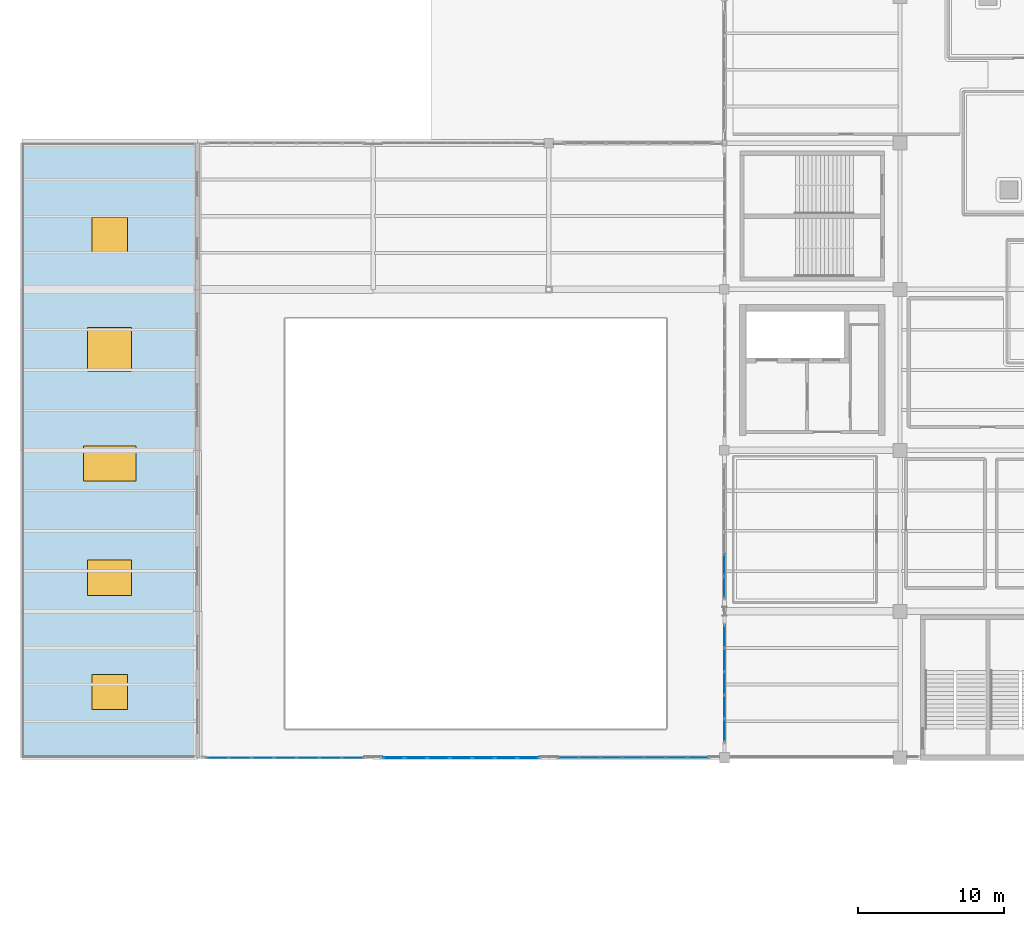
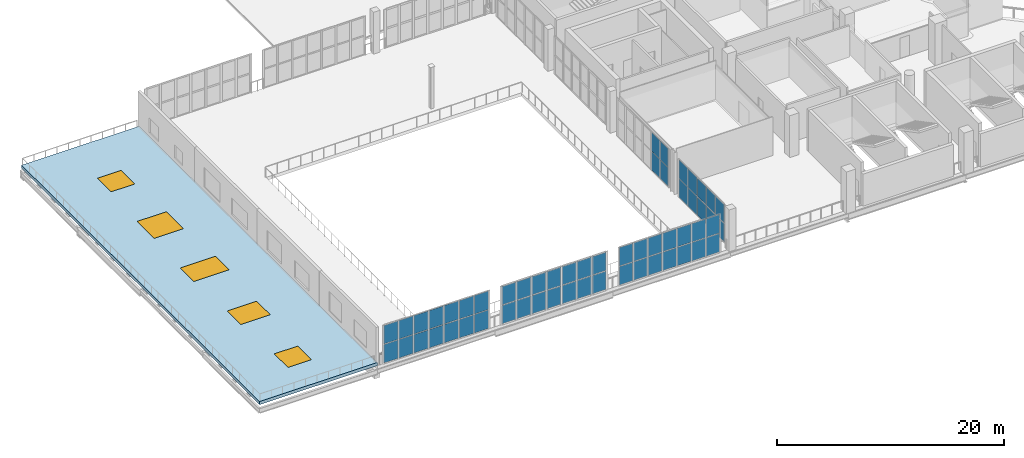
# One storey, part 50 of 90: 56 plates, 5 windows, 1 slab, 5 openings, 5 elements without a shape of their own.
"""IFC4 building model written with IfcOpenShell, lengths in metres."""

from ifc_helpers import new_model, si_unit, direction, frame, origin, origin_2d, place, context, subcontext, project, spatial, polyline, rectangle, outline, extrude, material, layer, layer_set, type_object, element, fill, aggregate, save


model = new_model("IFC4")

# Units and contexts
model_context = context("Model", 3, precision=1e-05, world=origin(), true_north=direction((0.0, 1.0)))
body_context = subcontext(model_context, "Body", "Model", "MODEL_VIEW")
ifc_project = project(units=[si_unit("LENGTHUNIT", "METRE"), si_unit("AREAUNIT", "SQUARE_METRE"), si_unit("VOLUMEUNIT", "CUBIC_METRE"), si_unit("PLANEANGLEUNIT", "RADIAN"), si_unit("MASSUNIT", "GRAM", prefix="KILO")], contexts=[model_context])

# Site, building, storey
site_placement = place(None, origin())
site = spatial("IfcSite", under=ifc_project, at=site_placement, CompositionType="ELEMENT")
building_placement = place(site_placement, origin())
building = spatial("IfcBuilding", under=site, at=building_placement, Name="Brinegate Civic Arena", CompositionType="ELEMENT")
storey_placement = place(building_placement, frame((0.0, 0.0, 14.699951171875)))
storey = spatial("IfcBuildingStorey", under=building, at=storey_placement, Name="L03", CompositionType="ELEMENT", Elevation=14.699951171875)

# Curtain wall, plates
ifc_material_1 = material(Name="Marine grade aluminium", Category="aluminium")
ifc_layer_1 = layer(ifc_material_1, 0.18505859375, Name="Marine grade aluminium")
ifc_layer_set_1 = layer_set([ifc_layer_1], Name="Marine grade aluminium")
curtain_wall_type_1 = type_object("IfcCurtainWallType", Name="CW-WING-GLAZED-03", PredefinedType="USERDEFINED", material=ifc_layer_set_1)
curtain_wall_1_placement = place(storey_placement, origin())
curtain_wall_1 = element("IfcCurtainWall", 1, at=curtain_wall_1_placement, inside=storey, type_object=curtain_wall_type_1, Name="Curtain Wall CWA-027", ObjectType="GLAZED CURTAIN WALL", PredefinedType="USERDEFINED")
ifc_material_2 = material(Name="Hurricane laminated low-E glass", Category="glass")
ifc_layer_2 = layer(ifc_material_2, 0.031982421875, Name="Hurricane laminated low-E glass")
ifc_layer_set_2 = layer_set([ifc_layer_2], Name="Hurricane laminated low-E glass")
plate_type_1 = type_object("IfcPlateType", Name="CW-PANEL-GLAZED-32", PredefinedType="CURTAIN_PANEL", material=ifc_layer_set_2)
plate_1_placement = place(storey_placement, frame((13.3876953125, 10.0, 0.065185546875), z_axis=(0.0, 0.0, 1.0), x_axis=(1.0, 0.0, 0.0)))
plate_1 = element("IfcPlate", 2, at=plate_1_placement, type_object=plate_type_1, Name="CWA-027 panel 1.1", PredefinedType="CURTAIN_PANEL", context=body_context, shape_type="SweptSolid", body=[
    extrude(rectangle(XDim=1.4453125, YDim=0.031982421875, at=origin_2d()), origin(), (0.0, 0.0, 1.0), 1.982421875),
])
plate_2_placement = place(storey_placement, frame((13.3876953125, 10.0, 2.112548828125), z_axis=(0.0, 0.0, 1.0), x_axis=(1.0, 0.0, 0.0)))
plate_2 = element("IfcPlate", 3, at=plate_2_placement, type_object=plate_type_1, Name="CWA-027 panel 1.2", PredefinedType="CURTAIN_PANEL", context=body_context, shape_type="SweptSolid", body=[
    extrude(rectangle(XDim=1.4453125, YDim=0.031982421875, at=origin_2d()), origin(), (0.0, 0.0, 1.0), 1.982421875),
])
plate_3_placement = place(storey_placement, frame((14.914306640625, 10.0, 0.065185546875), z_axis=(0.0, 0.0, 1.0), x_axis=(1.0, 0.0, 0.0)))
plate_3 = element("IfcPlate", 4, at=plate_3_placement, type_object=plate_type_1, Name="CWA-027 panel 2.1", PredefinedType="CURTAIN_PANEL", context=body_context, shape_type="SweptSolid", body=[
    extrude(rectangle(XDim=1.477783203125, YDim=0.031982421875, at=origin_2d()), origin(), (0.0, 0.0, 1.0), 1.982421875),
])
plate_4_placement = place(storey_placement, frame((14.914306640625, 10.0, 2.112548828125), z_axis=(0.0, 0.0, 1.0), x_axis=(1.0, 0.0, 0.0)))
plate_4 = element("IfcPlate", 5, at=plate_4_placement, type_object=plate_type_1, Name="CWA-027 panel 2.2", PredefinedType="CURTAIN_PANEL", context=body_context, shape_type="SweptSolid", body=[
    extrude(rectangle(XDim=1.477783203125, YDim=0.031982421875, at=origin_2d()), origin(), (0.0, 0.0, 1.0), 1.982421875),
])
plate_5_placement = place(storey_placement, frame((16.45703125, 10.0, 0.065185546875), z_axis=(0.0, 0.0, 1.0), x_axis=(1.0, 0.0, 0.0)))
plate_5 = element("IfcPlate", 6, at=plate_5_placement, type_object=plate_type_1, Name="CWA-027 panel 3.1", PredefinedType="CURTAIN_PANEL", context=body_context, shape_type="SweptSolid", body=[
    extrude(rectangle(XDim=1.477783203125, YDim=0.031982421875, at=origin_2d()), origin(), (0.0, 0.0, 1.0), 1.982421875),
])
plate_6_placement = place(storey_placement, frame((16.45703125, 10.0, 2.112548828125), z_axis=(0.0, 0.0, 1.0), x_axis=(1.0, 0.0, 0.0)))
plate_6 = element("IfcPlate", 7, at=plate_6_placement, type_object=plate_type_1, Name="CWA-027 panel 3.2", PredefinedType="CURTAIN_PANEL", context=body_context, shape_type="SweptSolid", body=[
    extrude(rectangle(XDim=1.477783203125, YDim=0.031982421875, at=origin_2d()), origin(), (0.0, 0.0, 1.0), 1.982421875),
])
plate_7_placement = place(storey_placement, frame((18.0, 10.0, 0.065185546875), z_axis=(0.0, 0.0, 1.0), x_axis=(1.0, 0.0, 0.0)))
plate_7 = element("IfcPlate", 8, at=plate_7_placement, type_object=plate_type_1, Name="CWA-027 panel 4.1", PredefinedType="CURTAIN_PANEL", context=body_context, shape_type="SweptSolid", body=[
    extrude(rectangle(XDim=1.477783203125, YDim=0.031982421875, at=origin_2d()), origin(), (0.0, 0.0, 1.0), 1.982421875),
])
plate_8_placement = place(storey_placement, frame((18.0, 10.0, 2.112548828125), z_axis=(0.0, 0.0, 1.0), x_axis=(1.0, 0.0, 0.0)))
plate_8 = element("IfcPlate", 9, at=plate_8_placement, type_object=plate_type_1, Name="CWA-027 panel 4.2", PredefinedType="CURTAIN_PANEL", context=body_context, shape_type="SweptSolid", body=[
    extrude(rectangle(XDim=1.477783203125, YDim=0.031982421875, at=origin_2d()), origin(), (0.0, 0.0, 1.0), 1.982421875),
])
plate_9_placement = place(storey_placement, frame((19.54296875, 10.0, 0.065185546875), z_axis=(0.0, 0.0, 1.0), x_axis=(1.0, 0.0, 0.0)))
plate_9 = element("IfcPlate", 10, at=plate_9_placement, type_object=plate_type_1, Name="CWA-027 panel 5.1", PredefinedType="CURTAIN_PANEL", context=body_context, shape_type="SweptSolid", body=[
    extrude(rectangle(XDim=1.477783203125, YDim=0.031982421875, at=origin_2d()), origin(), (0.0, 0.0, 1.0), 1.982421875),
])
plate_10_placement = place(storey_placement, frame((19.54296875, 10.0, 2.112548828125), z_axis=(0.0, 0.0, 1.0), x_axis=(1.0, 0.0, 0.0)))
plate_10 = element("IfcPlate", 11, at=plate_10_placement, type_object=plate_type_1, Name="CWA-027 panel 5.2", PredefinedType="CURTAIN_PANEL", context=body_context, shape_type="SweptSolid", body=[
    extrude(rectangle(XDim=1.477783203125, YDim=0.031982421875, at=origin_2d()), origin(), (0.0, 0.0, 1.0), 1.982421875),
])
plate_11_placement = place(storey_placement, frame((21.085693359375, 10.0, 0.065185546875), z_axis=(0.0, 0.0, 1.0), x_axis=(1.0, 0.0, 0.0)))
plate_11 = element("IfcPlate", 12, at=plate_11_placement, type_object=plate_type_1, Name="CWA-027 panel 6.1", PredefinedType="CURTAIN_PANEL", context=body_context, shape_type="SweptSolid", body=[
    extrude(rectangle(XDim=1.477783203125, YDim=0.031982421875, at=origin_2d()), origin(), (0.0, 0.0, 1.0), 1.982421875),
])
plate_12_placement = place(storey_placement, frame((21.085693359375, 10.0, 2.112548828125), z_axis=(0.0, 0.0, 1.0), x_axis=(1.0, 0.0, 0.0)))
plate_12 = element("IfcPlate", 13, at=plate_12_placement, type_object=plate_type_1, Name="CWA-027 panel 6.2", PredefinedType="CURTAIN_PANEL", context=body_context, shape_type="SweptSolid", body=[
    extrude(rectangle(XDim=1.477783203125, YDim=0.031982421875, at=origin_2d()), origin(), (0.0, 0.0, 1.0), 1.982421875),
])
plate_13_placement = place(storey_placement, frame((22.6123046875, 10.0, 0.065185546875), z_axis=(0.0, 0.0, 1.0), x_axis=(1.0, 0.0, 0.0)))
plate_13 = element("IfcPlate", 14, at=plate_13_placement, type_object=plate_type_1, Name="CWA-027 panel 7.1", PredefinedType="CURTAIN_PANEL", context=body_context, shape_type="SweptSolid", body=[
    extrude(rectangle(XDim=1.4453125, YDim=0.031982421875, at=origin_2d()), origin(), (0.0, 0.0, 1.0), 1.982421875),
])
plate_14_placement = place(storey_placement, frame((22.6123046875, 10.0, 2.112548828125), z_axis=(0.0, 0.0, 1.0), x_axis=(1.0, 0.0, 0.0)))
plate_14 = element("IfcPlate", 15, at=plate_14_placement, type_object=plate_type_1, Name="CWA-027 panel 7.2", PredefinedType="CURTAIN_PANEL", context=body_context, shape_type="SweptSolid", body=[
    extrude(rectangle(XDim=1.4453125, YDim=0.031982421875, at=origin_2d()), origin(), (0.0, 0.0, 1.0), 1.982421875),
])
aggregate(curtain_wall_1, [plate_1, plate_2, plate_3, plate_4, plate_5, plate_6, plate_7, plate_8, plate_9, plate_10, plate_11, plate_12, plate_13, plate_14])

curtain_wall_2_placement = place(storey_placement, origin())
curtain_wall_2 = element("IfcCurtainWall", 16, at=curtain_wall_2_placement, inside=storey, type_object=curtain_wall_type_1, Name="Curtain Wall CWA-031", ObjectType="GLAZED CURTAIN WALL", PredefinedType="USERDEFINED")
plate_15_placement = place(storey_placement, frame((37.35595703125, 10.0, 0.065185546875), z_axis=(0.0, 0.0, 1.0), x_axis=(1.0, 0.0, 0.0)))
plate_15 = element("IfcPlate", 17, at=plate_15_placement, type_object=plate_type_1, Name="CWA-031 panel 1.1", PredefinedType="CURTAIN_PANEL", context=body_context, shape_type="SweptSolid", body=[
    extrude(rectangle(XDim=1.3818359375, YDim=0.031982421875, at=origin_2d()), origin(), (0.0, 0.0, 1.0), 1.982421875),
])
plate_16_placement = place(storey_placement, frame((37.35595703125, 10.0, 2.112548828125), z_axis=(0.0, 0.0, 1.0), x_axis=(1.0, 0.0, 0.0)))
plate_16 = element("IfcPlate", 18, at=plate_16_placement, type_object=plate_type_1, Name="CWA-031 panel 1.2", PredefinedType="CURTAIN_PANEL", context=body_context, shape_type="SweptSolid", body=[
    extrude(rectangle(XDim=1.3818359375, YDim=0.031982421875, at=origin_2d()), origin(), (0.0, 0.0, 1.0), 1.982421875),
])
plate_17_placement = place(storey_placement, frame((38.81884765625, 10.0, 0.065185546875), z_axis=(0.0, 0.0, 1.0), x_axis=(1.0, 0.0, 0.0)))
plate_17 = element("IfcPlate", 19, at=plate_17_placement, type_object=plate_type_1, Name="CWA-031 panel 2.1", PredefinedType="CURTAIN_PANEL", context=body_context, shape_type="SweptSolid", body=[
    extrude(rectangle(XDim=1.414306640625, YDim=0.031982421875, at=origin_2d()), origin(), (0.0, 0.0, 1.0), 1.982421875),
])
plate_18_placement = place(storey_placement, frame((38.81884765625, 10.0, 2.112548828125), z_axis=(0.0, 0.0, 1.0), x_axis=(1.0, 0.0, 0.0)))
plate_18 = element("IfcPlate", 20, at=plate_18_placement, type_object=plate_type_1, Name="CWA-031 panel 2.2", PredefinedType="CURTAIN_PANEL", context=body_context, shape_type="SweptSolid", body=[
    extrude(rectangle(XDim=1.414306640625, YDim=0.031982421875, at=origin_2d()), origin(), (0.0, 0.0, 1.0), 1.982421875),
])
plate_19_placement = place(storey_placement, frame((40.298095703125, 10.0, 0.065185546875), z_axis=(0.0, 0.0, 1.0), x_axis=(1.0, 0.0, 0.0)))
plate_19 = element("IfcPlate", 21, at=plate_19_placement, type_object=plate_type_1, Name="CWA-031 panel 3.1", PredefinedType="CURTAIN_PANEL", context=body_context, shape_type="SweptSolid", body=[
    extrude(rectangle(XDim=1.414306640625, YDim=0.031982421875, at=origin_2d()), origin(), (0.0, 0.0, 1.0), 1.982421875),
])
plate_20_placement = place(storey_placement, frame((40.298095703125, 10.0, 2.112548828125), z_axis=(0.0, 0.0, 1.0), x_axis=(1.0, 0.0, 0.0)))
plate_20 = element("IfcPlate", 22, at=plate_20_placement, type_object=plate_type_1, Name="CWA-031 panel 3.2", PredefinedType="CURTAIN_PANEL", context=body_context, shape_type="SweptSolid", body=[
    extrude(rectangle(XDim=1.414306640625, YDim=0.031982421875, at=origin_2d()), origin(), (0.0, 0.0, 1.0), 1.982421875),
])
plate_21_placement = place(storey_placement, frame((41.777587890625, 10.0, 0.065185546875), z_axis=(0.0, 0.0, 1.0), x_axis=(1.0, 0.0, 0.0)))
plate_21 = element("IfcPlate", 23, at=plate_21_placement, type_object=plate_type_1, Name="CWA-031 panel 4.1", PredefinedType="CURTAIN_PANEL", context=body_context, shape_type="SweptSolid", body=[
    extrude(rectangle(XDim=1.414306640625, YDim=0.031982421875, at=origin_2d()), origin(), (0.0, 0.0, 1.0), 1.982421875),
])
plate_22_placement = place(storey_placement, frame((41.777587890625, 10.0, 2.112548828125), z_axis=(0.0, 0.0, 1.0), x_axis=(1.0, 0.0, 0.0)))
plate_22 = element("IfcPlate", 24, at=plate_22_placement, type_object=plate_type_1, Name="CWA-031 panel 4.2", PredefinedType="CURTAIN_PANEL", context=body_context, shape_type="SweptSolid", body=[
    extrude(rectangle(XDim=1.414306640625, YDim=0.031982421875, at=origin_2d()), origin(), (0.0, 0.0, 1.0), 1.982421875),
])
plate_23_placement = place(storey_placement, frame((43.2568359375, 10.0, 0.065185546875), z_axis=(0.0, 0.0, 1.0), x_axis=(1.0, 0.0, 0.0)))
plate_23 = element("IfcPlate", 25, at=plate_23_placement, type_object=plate_type_1, Name="CWA-031 panel 5.1", PredefinedType="CURTAIN_PANEL", context=body_context, shape_type="SweptSolid", body=[
    extrude(rectangle(XDim=1.414306640625, YDim=0.031982421875, at=origin_2d()), origin(), (0.0, 0.0, 1.0), 1.982421875),
])
plate_24_placement = place(storey_placement, frame((43.2568359375, 10.0, 2.112548828125), z_axis=(0.0, 0.0, 1.0), x_axis=(1.0, 0.0, 0.0)))
plate_24 = element("IfcPlate", 26, at=plate_24_placement, type_object=plate_type_1, Name="CWA-031 panel 5.2", PredefinedType="CURTAIN_PANEL", context=body_context, shape_type="SweptSolid", body=[
    extrude(rectangle(XDim=1.414306640625, YDim=0.031982421875, at=origin_2d()), origin(), (0.0, 0.0, 1.0), 1.982421875),
])
plate_25_placement = place(storey_placement, frame((44.736083984375, 10.0, 0.065185546875), z_axis=(0.0, 0.0, 1.0), x_axis=(1.0, 0.0, 0.0)))
plate_25 = element("IfcPlate", 27, at=plate_25_placement, type_object=plate_type_1, Name="CWA-031 panel 6.1", PredefinedType="CURTAIN_PANEL", context=body_context, shape_type="SweptSolid", body=[
    extrude(rectangle(XDim=1.414306640625, YDim=0.031982421875, at=origin_2d()), origin(), (0.0, 0.0, 1.0), 1.982421875),
])
plate_26_placement = place(storey_placement, frame((44.736083984375, 10.0, 2.112548828125), z_axis=(0.0, 0.0, 1.0), x_axis=(1.0, 0.0, 0.0)))
plate_26 = element("IfcPlate", 28, at=plate_26_placement, type_object=plate_type_1, Name="CWA-031 panel 6.2", PredefinedType="CURTAIN_PANEL", context=body_context, shape_type="SweptSolid", body=[
    extrude(rectangle(XDim=1.414306640625, YDim=0.031982421875, at=origin_2d()), origin(), (0.0, 0.0, 1.0), 1.982421875),
])
plate_27_placement = place(storey_placement, frame((46.19921875, 10.0, 0.065185546875), z_axis=(0.0, 0.0, 1.0), x_axis=(1.0, 0.0, 0.0)))
plate_27 = element("IfcPlate", 29, at=plate_27_placement, type_object=plate_type_1, Name="CWA-031 panel 7.1", PredefinedType="CURTAIN_PANEL", context=body_context, shape_type="SweptSolid", body=[
    extrude(rectangle(XDim=1.3818359375, YDim=0.031982421875, at=origin_2d()), origin(), (0.0, 0.0, 1.0), 1.982421875),
])
plate_28_placement = place(storey_placement, frame((46.19921875, 10.0, 2.112548828125), z_axis=(0.0, 0.0, 1.0), x_axis=(1.0, 0.0, 0.0)))
plate_28 = element("IfcPlate", 30, at=plate_28_placement, type_object=plate_type_1, Name="CWA-031 panel 7.2", PredefinedType="CURTAIN_PANEL", context=body_context, shape_type="SweptSolid", body=[
    extrude(rectangle(XDim=1.3818359375, YDim=0.031982421875, at=origin_2d()), origin(), (0.0, 0.0, 1.0), 1.982421875),
])
aggregate(curtain_wall_2, [plate_15, plate_16, plate_17, plate_18, plate_19, plate_20, plate_21, plate_22, plate_23, plate_24, plate_25, plate_26, plate_27, plate_28])

ifc_layer_3 = layer(ifc_material_1, 0.199951171875, Name="Marine grade aluminium")
ifc_layer_set_3 = layer_set([ifc_layer_3], Name="Marine grade aluminium")
curtain_wall_type_2 = type_object("IfcCurtainWallType", Name="CW-BOWL-GLAZED-01", PredefinedType="USERDEFINED", material=ifc_layer_set_3)
curtain_wall_3_placement = place(storey_placement, origin())
curtain_wall_3 = element("IfcCurtainWall", 31, at=curtain_wall_3_placement, inside=storey, type_object=curtain_wall_type_2, Name="Curtain Wall CWA-105", ObjectType="GLAZED CURTAIN WALL", PredefinedType="USERDEFINED")
plate_29_placement = place(storey_placement, frame((48.0, 11.8671875, 0.065185546875), z_axis=(0.0, 0.0, 1.0), x_axis=(0.0, 1.0, 0.0)))
plate_29 = element("IfcPlate", 32, at=plate_29_placement, type_object=plate_type_1, Name="CWA-105 panel 1.1", PredefinedType="CURTAIN_PANEL", context=body_context, shape_type="SweptSolid", body=[
    extrude(rectangle(XDim=1.514404296875, YDim=0.031982421875, at=origin_2d()), origin(), (0.0, 0.0, 1.0), 1.982421875),
])
plate_30_placement = place(storey_placement, frame((48.0, 11.8671875, 2.112548828125), z_axis=(0.0, 0.0, 1.0), x_axis=(0.0, 1.0, 0.0)))
plate_30 = element("IfcPlate", 33, at=plate_30_placement, type_object=plate_type_1, Name="CWA-105 panel 1.2", PredefinedType="CURTAIN_PANEL", context=body_context, shape_type="SweptSolid", body=[
    extrude(rectangle(XDim=1.514404296875, YDim=0.031982421875, at=origin_2d()), origin(), (0.0, 0.0, 1.0), 1.982421875),
])
plate_31_placement = place(storey_placement, frame((48.0, 13.462646484375, 0.065185546875), z_axis=(0.0, 0.0, 1.0), x_axis=(0.0, 1.0, 0.0)))
plate_31 = element("IfcPlate", 34, at=plate_31_placement, type_object=plate_type_1, Name="CWA-105 panel 2.1", PredefinedType="CURTAIN_PANEL", context=body_context, shape_type="SweptSolid", body=[
    extrude(rectangle(XDim=1.546875, YDim=0.031982421875, at=origin_2d()), origin(), (0.0, 0.0, 1.0), 1.982421875),
])
plate_32_placement = place(storey_placement, frame((48.0, 13.462646484375, 2.112548828125), z_axis=(0.0, 0.0, 1.0), x_axis=(0.0, 1.0, 0.0)))
plate_32 = element("IfcPlate", 35, at=plate_32_placement, type_object=plate_type_1, Name="CWA-105 panel 2.2", PredefinedType="CURTAIN_PANEL", context=body_context, shape_type="SweptSolid", body=[
    extrude(rectangle(XDim=1.546875, YDim=0.031982421875, at=origin_2d()), origin(), (0.0, 0.0, 1.0), 1.982421875),
])
plate_33_placement = place(storey_placement, frame((48.0, 15.074462890625, 0.065185546875), z_axis=(0.0, 0.0, 1.0), x_axis=(0.0, 1.0, 0.0)))
plate_33 = element("IfcPlate", 36, at=plate_33_placement, type_object=plate_type_1, Name="CWA-105 panel 3.1", PredefinedType="CURTAIN_PANEL", context=body_context, shape_type="SweptSolid", body=[
    extrude(rectangle(XDim=1.546875, YDim=0.031982421875, at=origin_2d()), origin(), (0.0, 0.0, 1.0), 1.982421875),
])
plate_34_placement = place(storey_placement, frame((48.0, 15.074462890625, 2.112548828125), z_axis=(0.0, 0.0, 1.0), x_axis=(0.0, 1.0, 0.0)))
plate_34 = element("IfcPlate", 37, at=plate_34_placement, type_object=plate_type_1, Name="CWA-105 panel 3.2", PredefinedType="CURTAIN_PANEL", context=body_context, shape_type="SweptSolid", body=[
    extrude(rectangle(XDim=1.546875, YDim=0.031982421875, at=origin_2d()), origin(), (0.0, 0.0, 1.0), 1.982421875),
])
plate_35_placement = place(storey_placement, frame((48.0, 16.686279296875, 0.065185546875), z_axis=(0.0, 0.0, 1.0), x_axis=(0.0, 1.0, 0.0)))
plate_35 = element("IfcPlate", 38, at=plate_35_placement, type_object=plate_type_1, Name="CWA-105 panel 4.1", PredefinedType="CURTAIN_PANEL", context=body_context, shape_type="SweptSolid", body=[
    extrude(rectangle(XDim=1.546875, YDim=0.031982421875, at=origin_2d()), origin(), (0.0, 0.0, 1.0), 1.982421875),
])
plate_36_placement = place(storey_placement, frame((48.0, 16.686279296875, 2.112548828125), z_axis=(0.0, 0.0, 1.0), x_axis=(0.0, 1.0, 0.0)))
plate_36 = element("IfcPlate", 39, at=plate_36_placement, type_object=plate_type_1, Name="CWA-105 panel 4.2", PredefinedType="CURTAIN_PANEL", context=body_context, shape_type="SweptSolid", body=[
    extrude(rectangle(XDim=1.546875, YDim=0.031982421875, at=origin_2d()), origin(), (0.0, 0.0, 1.0), 1.982421875),
])
plate_37_placement = place(storey_placement, frame((48.0, 18.28173828125, 0.065185546875), z_axis=(0.0, 0.0, 1.0), x_axis=(0.0, 1.0, 0.0)))
plate_37 = element("IfcPlate", 40, at=plate_37_placement, type_object=plate_type_1, Name="CWA-105 panel 5.1", PredefinedType="CURTAIN_PANEL", context=body_context, shape_type="SweptSolid", body=[
    extrude(rectangle(XDim=1.514404296875, YDim=0.031982421875, at=origin_2d()), origin(), (0.0, 0.0, 1.0), 1.982421875),
])
plate_38_placement = place(storey_placement, frame((48.0, 18.28173828125, 2.112548828125), z_axis=(0.0, 0.0, 1.0), x_axis=(0.0, 1.0, 0.0)))
plate_38 = element("IfcPlate", 41, at=plate_38_placement, type_object=plate_type_1, Name="CWA-105 panel 5.2", PredefinedType="CURTAIN_PANEL", context=body_context, shape_type="SweptSolid", body=[
    extrude(rectangle(XDim=1.514404296875, YDim=0.031982421875, at=origin_2d()), origin(), (0.0, 0.0, 1.0), 1.982421875),
])
aggregate(curtain_wall_3, [plate_29, plate_30, plate_31, plate_32, plate_33, plate_34, plate_35, plate_36, plate_37, plate_38])

curtain_wall_4_placement = place(storey_placement, origin())
curtain_wall_4 = element("IfcCurtainWall", 42, at=curtain_wall_4_placement, inside=storey, type_object=curtain_wall_type_1, Name="Curtain Wall CWA-029", ObjectType="GLAZED CURTAIN WALL", PredefinedType="USERDEFINED")
ifc_layer_4 = layer(ifc_material_2, 0.0419921875, Name="Hurricane laminated low-E glass")
ifc_layer_set_4 = layer_set([ifc_layer_4], Name="Hurricane laminated low-E glass")
plate_type_2 = type_object("IfcPlateType", Name="CW-PANEL-SPANDREL-42", PredefinedType="CURTAIN_PANEL", material=ifc_layer_set_4)
plate_39_placement = place(storey_placement, frame((25.391357421875, 10.0, 0.0751953125), z_axis=(0.0, 0.0, 1.0), x_axis=(1.0, 0.0, 0.0)))
plate_39 = element("IfcPlate", 43, at=plate_39_placement, type_object=plate_type_2, Name="CWA-029 panel 1.1", PredefinedType="CURTAIN_PANEL", context=body_context, shape_type="SweptSolid", body=[
    extrude(rectangle(XDim=1.4228515625, YDim=0.0419921875, at=origin_2d()), origin(), (0.0, 0.0, 1.0), 1.967529296875),
])
plate_40_placement = place(storey_placement, frame((25.391357421875, 10.0, 2.11767578125), z_axis=(0.0, 0.0, 1.0), x_axis=(1.0, 0.0, 0.0)))
plate_40 = element("IfcPlate", 44, at=plate_40_placement, type_object=plate_type_2, Name="CWA-029 panel 1.2", PredefinedType="CURTAIN_PANEL", context=body_context, shape_type="SweptSolid", body=[
    extrude(rectangle(XDim=1.4228515625, YDim=0.0419921875, at=origin_2d()), origin(), (0.0, 0.0, 1.0), 1.967529296875),
])
plate_41_placement = place(storey_placement, frame((26.914306640625, 10.0, 0.0751953125), z_axis=(0.0, 0.0, 1.0), x_axis=(1.0, 0.0, 0.0)))
plate_41 = element("IfcPlate", 45, at=plate_41_placement, type_object=plate_type_2, Name="CWA-029 panel 2.1", PredefinedType="CURTAIN_PANEL", context=body_context, shape_type="SweptSolid", body=[
    extrude(rectangle(XDim=1.462890625, YDim=0.0419921875, at=origin_2d()), origin(), (0.0, 0.0, 1.0), 1.967529296875),
])
plate_42_placement = place(storey_placement, frame((26.914306640625, 10.0, 2.11767578125), z_axis=(0.0, 0.0, 1.0), x_axis=(1.0, 0.0, 0.0)))
plate_42 = element("IfcPlate", 46, at=plate_42_placement, type_object=plate_type_2, Name="CWA-029 panel 2.2", PredefinedType="CURTAIN_PANEL", context=body_context, shape_type="SweptSolid", body=[
    extrude(rectangle(XDim=1.462890625, YDim=0.0419921875, at=origin_2d()), origin(), (0.0, 0.0, 1.0), 1.967529296875),
])
plate_43_placement = place(storey_placement, frame((28.45703125, 10.0, 0.0751953125), z_axis=(0.0, 0.0, 1.0), x_axis=(1.0, 0.0, 0.0)))
plate_43 = element("IfcPlate", 47, at=plate_43_placement, type_object=plate_type_2, Name="CWA-029 panel 3.1", PredefinedType="CURTAIN_PANEL", context=body_context, shape_type="SweptSolid", body=[
    extrude(rectangle(XDim=1.462890625, YDim=0.0419921875, at=origin_2d()), origin(), (0.0, 0.0, 1.0), 1.967529296875),
])
plate_44_placement = place(storey_placement, frame((28.45703125, 10.0, 2.11767578125), z_axis=(0.0, 0.0, 1.0), x_axis=(1.0, 0.0, 0.0)))
plate_44 = element("IfcPlate", 48, at=plate_44_placement, type_object=plate_type_2, Name="CWA-029 panel 3.2", PredefinedType="CURTAIN_PANEL", context=body_context, shape_type="SweptSolid", body=[
    extrude(rectangle(XDim=1.462890625, YDim=0.0419921875, at=origin_2d()), origin(), (0.0, 0.0, 1.0), 1.967529296875),
])
plate_45_placement = place(storey_placement, frame((30.0, 10.0, 0.0751953125), z_axis=(0.0, 0.0, 1.0), x_axis=(1.0, 0.0, 0.0)))
plate_45 = element("IfcPlate", 49, at=plate_45_placement, type_object=plate_type_2, Name="CWA-029 panel 4.1", PredefinedType="CURTAIN_PANEL", context=body_context, shape_type="SweptSolid", body=[
    extrude(rectangle(XDim=1.462890625, YDim=0.0419921875, at=origin_2d()), origin(), (0.0, 0.0, 1.0), 1.967529296875),
])
plate_46_placement = place(storey_placement, frame((30.0, 10.0, 2.11767578125), z_axis=(0.0, 0.0, 1.0), x_axis=(1.0, 0.0, 0.0)))
plate_46 = element("IfcPlate", 50, at=plate_46_placement, type_object=plate_type_2, Name="CWA-029 panel 4.2", PredefinedType="CURTAIN_PANEL", context=body_context, shape_type="SweptSolid", body=[
    extrude(rectangle(XDim=1.462890625, YDim=0.0419921875, at=origin_2d()), origin(), (0.0, 0.0, 1.0), 1.967529296875),
])
plate_47_placement = place(storey_placement, frame((31.54296875, 10.0, 0.0751953125), z_axis=(0.0, 0.0, 1.0), x_axis=(1.0, 0.0, 0.0)))
plate_47 = element("IfcPlate", 51, at=plate_47_placement, type_object=plate_type_2, Name="CWA-029 panel 5.1", PredefinedType="CURTAIN_PANEL", context=body_context, shape_type="SweptSolid", body=[
    extrude(rectangle(XDim=1.462890625, YDim=0.0419921875, at=origin_2d()), origin(), (0.0, 0.0, 1.0), 1.967529296875),
])
plate_48_placement = place(storey_placement, frame((31.54296875, 10.0, 2.11767578125), z_axis=(0.0, 0.0, 1.0), x_axis=(1.0, 0.0, 0.0)))
plate_48 = element("IfcPlate", 52, at=plate_48_placement, type_object=plate_type_2, Name="CWA-029 panel 5.2", PredefinedType="CURTAIN_PANEL", context=body_context, shape_type="SweptSolid", body=[
    extrude(rectangle(XDim=1.462890625, YDim=0.0419921875, at=origin_2d()), origin(), (0.0, 0.0, 1.0), 1.967529296875),
])
plate_49_placement = place(storey_placement, frame((33.085693359375, 10.0, 0.0751953125), z_axis=(0.0, 0.0, 1.0), x_axis=(1.0, 0.0, 0.0)))
plate_49 = element("IfcPlate", 53, at=plate_49_placement, type_object=plate_type_2, Name="CWA-029 panel 6.1", PredefinedType="CURTAIN_PANEL", context=body_context, shape_type="SweptSolid", body=[
    extrude(rectangle(XDim=1.462890625, YDim=0.0419921875, at=origin_2d()), origin(), (0.0, 0.0, 1.0), 1.967529296875),
])
plate_50_placement = place(storey_placement, frame((33.085693359375, 10.0, 2.11767578125), z_axis=(0.0, 0.0, 1.0), x_axis=(1.0, 0.0, 0.0)))
plate_50 = element("IfcPlate", 54, at=plate_50_placement, type_object=plate_type_2, Name="CWA-029 panel 6.2", PredefinedType="CURTAIN_PANEL", context=body_context, shape_type="SweptSolid", body=[
    extrude(rectangle(XDim=1.462890625, YDim=0.0419921875, at=origin_2d()), origin(), (0.0, 0.0, 1.0), 1.967529296875),
])
plate_51_placement = place(storey_placement, frame((34.608642578125, 10.0, 0.0751953125), z_axis=(0.0, 0.0, 1.0), x_axis=(1.0, 0.0, 0.0)))
plate_51 = element("IfcPlate", 55, at=plate_51_placement, type_object=plate_type_2, Name="CWA-029 panel 7.1", PredefinedType="CURTAIN_PANEL", context=body_context, shape_type="SweptSolid", body=[
    extrude(rectangle(XDim=1.4228515625, YDim=0.0419921875, at=origin_2d()), origin(), (0.0, 0.0, 1.0), 1.967529296875),
])
plate_52_placement = place(storey_placement, frame((34.608642578125, 10.0, 2.11767578125), z_axis=(0.0, 0.0, 1.0), x_axis=(1.0, 0.0, 0.0)))
plate_52 = element("IfcPlate", 56, at=plate_52_placement, type_object=plate_type_2, Name="CWA-029 panel 7.2", PredefinedType="CURTAIN_PANEL", context=body_context, shape_type="SweptSolid", body=[
    extrude(rectangle(XDim=1.4228515625, YDim=0.0419921875, at=origin_2d()), origin(), (0.0, 0.0, 1.0), 1.967529296875),
])
aggregate(curtain_wall_4, [plate_39, plate_40, plate_41, plate_42, plate_43, plate_44, plate_45, plate_46, plate_47, plate_48, plate_49, plate_50, plate_51, plate_52])

curtain_wall_5_placement = place(storey_placement, origin())
curtain_wall_5 = element("IfcCurtainWall", 57, at=curtain_wall_5_placement, inside=storey, type_object=curtain_wall_type_2, Name="Curtain Wall CWA-107", ObjectType="GLAZED CURTAIN WALL", PredefinedType="USERDEFINED")
plate_53_placement = place(storey_placement, frame((48.0, 21.673828125, 0.065185546875), z_axis=(0.0, 0.0, 1.0), x_axis=(0.0, 1.0, 0.0)))
plate_53 = element("IfcPlate", 58, at=plate_53_placement, type_object=plate_type_2, Name="CWA-107 panel 1.1", PredefinedType="CURTAIN_PANEL", context=body_context, shape_type="SweptSolid", body=[
    extrude(rectangle(XDim=1.395751953125, YDim=0.0419921875, at=origin_2d()), origin(), (0.0, 0.0, 1.0), 1.982421875),
])
plate_54_placement = place(storey_placement, frame((48.0, 21.673828125, 2.112548828125), z_axis=(0.0, 0.0, 1.0), x_axis=(0.0, 1.0, 0.0)))
plate_54 = element("IfcPlate", 59, at=plate_54_placement, type_object=plate_type_2, Name="CWA-107 panel 1.2", PredefinedType="CURTAIN_PANEL", context=body_context, shape_type="SweptSolid", body=[
    extrude(rectangle(XDim=1.395751953125, YDim=0.0419921875, at=origin_2d()), origin(), (0.0, 0.0, 1.0), 1.982421875),
])
plate_55_placement = place(storey_placement, frame((48.0, 23.16943359375, 0.065185546875), z_axis=(0.0, 0.0, 1.0), x_axis=(0.0, 1.0, 0.0)))
plate_55 = element("IfcPlate", 60, at=plate_55_placement, type_object=plate_type_2, Name="CWA-107 panel 2.1", PredefinedType="CURTAIN_PANEL", context=body_context, shape_type="SweptSolid", body=[
    extrude(rectangle(XDim=1.435546875, YDim=0.0419921875, at=origin_2d()), origin(), (0.0, 0.0, 1.0), 1.982421875),
])
plate_56_placement = place(storey_placement, frame((48.0, 23.16943359375, 2.112548828125), z_axis=(0.0, 0.0, 1.0), x_axis=(0.0, 1.0, 0.0)))
plate_56 = element("IfcPlate", 61, at=plate_56_placement, type_object=plate_type_2, Name="CWA-107 panel 2.2", PredefinedType="CURTAIN_PANEL", context=body_context, shape_type="SweptSolid", body=[
    extrude(rectangle(XDim=1.435546875, YDim=0.0419921875, at=origin_2d()), origin(), (0.0, 0.0, 1.0), 1.982421875),
])
aggregate(curtain_wall_5, [plate_53, plate_54, plate_55, plate_56])

# Slab, openings, windows
ifc_material_3 = material(Name="Concrete C40/50", Category="concrete")
ifc_layer_5 = layer(ifc_material_3, 0.340087890625, Name="Concrete C40/50")
ifc_layer_set_5 = layer_set([ifc_layer_5], Name="Concrete C40/50")
slab_type = type_object("IfcSlabType", Name="SLAB-ROOF-PORTAL-340", PredefinedType="ROOF", material=ifc_layer_set_5)
slab_placement = place(storey_placement, origin())
slab = element("IfcSlab", 62, at=slab_placement, inside=storey, type_object=slab_type, Name="West Hall Step Skylight Roof Slab", PredefinedType="ROOF", context=body_context, shape_type="SweptSolid", body=[
    extrude(outline(polyline([(0.0, 10.0), (12.0, 10.0), (12.0, 52.0), (0.0, 52.0), (0.0, 10.0)])), origin(), (0.0, 0.0, 1.0), 0.340087890625),
])
opening_1_placement = place(slab_placement, frame((6.0, 14.5, 0.0)))
opening_1 = element("IfcOpeningElement", 63, at=opening_1_placement, cuts=slab, Name="Opening SKY-N01", PredefinedType="OPENING", context=body_context, shape_type="SweptSolid", body=[
    extrude(rectangle(XDim=2.39990234375, YDim=2.39990234375, at=origin_2d()), origin(), (0.0, 0.0, 1.0), 0.340087890625),
])
opening_2_placement = place(slab_placement, frame((6.0, 22.300048828125, 0.0)))
opening_2 = element("IfcOpeningElement", 64, at=opening_2_placement, cuts=slab, Name="Opening SKY-N02", PredefinedType="OPENING", context=body_context, shape_type="SweptSolid", body=[
    extrude(rectangle(XDim=3.0, YDim=2.39990234375, at=origin_2d()), origin(), (0.0, 0.0, 1.0), 0.340087890625),
])
opening_3_placement = place(slab_placement, frame((6.0, 30.10009765625, 0.0)))
opening_3 = element("IfcOpeningElement", 65, at=opening_3_placement, cuts=slab, Name="Opening SKY-N03", PredefinedType="OPENING", context=body_context, shape_type="SweptSolid", body=[
    extrude(rectangle(XDim=3.60009765625, YDim=2.39990234375, at=origin_2d()), origin(), (0.0, 0.0, 1.0), 0.340087890625),
])
opening_4_placement = place(slab_placement, frame((6.0, 37.89990234375, 0.0)))
opening_4 = element("IfcOpeningElement", 66, at=opening_4_placement, cuts=slab, Name="Opening SKY-N04", PredefinedType="OPENING", context=body_context, shape_type="SweptSolid", body=[
    extrude(rectangle(XDim=3.0, YDim=3.0, at=origin_2d()), origin(), (0.0, 0.0, 1.0), 0.340087890625),
])
opening_5_placement = place(slab_placement, frame((6.0, 45.699951171875, 0.0)))
opening_5 = element("IfcOpeningElement", 67, at=opening_5_placement, cuts=slab, Name="Opening SKY-N05", PredefinedType="OPENING", context=body_context, shape_type="SweptSolid", body=[
    extrude(rectangle(XDim=2.39990234375, YDim=2.39990234375, at=origin_2d()), origin(), (0.0, 0.0, 1.0), 0.340087890625),
])
ifc_material_4 = material(Name="Tempered laminated skylight glass", Category="glass")
window_type_1 = type_object("IfcWindowType", Name="SKYLIGHT-ROOF-2400X2400", PartitioningType="SINGLE_PANEL", PredefinedType="SKYLIGHT", material=ifc_material_4)
window_1_placement = place(opening_1_placement, frame((0.0, 0.0, 0.2900390625)))
window_1 = element("IfcWindow", 68, at=window_1_placement, inside=storey, type_object=window_type_1, Name="Roof Skylight SKY-N01", OverallHeight=2.39990234375, OverallWidth=2.39990234375, PartitioningType="SINGLE_PANEL", PredefinedType="SKYLIGHT", context=body_context, shape_type="SweptSolid", body=[
    extrude(rectangle(XDim=2.39990234375, YDim=2.39990234375, at=origin_2d()), origin(), (0.0, 0.0, 1.0), 0.050048828125),
])
fill(opening_1, window_1)
window_2_placement = place(opening_5_placement, frame((0.0, 0.0, 0.2900390625)))
window_2 = element("IfcWindow", 69, at=window_2_placement, inside=storey, type_object=window_type_1, Name="Roof Skylight SKY-N05", OverallHeight=2.39990234375, OverallWidth=2.39990234375, PartitioningType="SINGLE_PANEL", PredefinedType="SKYLIGHT", context=body_context, shape_type="SweptSolid", body=[
    extrude(rectangle(XDim=2.39990234375, YDim=2.39990234375, at=origin_2d()), origin(), (0.0, 0.0, 1.0), 0.050048828125),
])
fill(opening_5, window_2)
window_type_2 = type_object("IfcWindowType", Name="SKYLIGHT-ROOF-3000X2400", PartitioningType="SINGLE_PANEL", PredefinedType="SKYLIGHT", material=ifc_material_4)
window_3_placement = place(opening_2_placement, frame((0.0, 0.0, 0.2900390625)))
window_3 = element("IfcWindow", 70, at=window_3_placement, inside=storey, type_object=window_type_2, Name="Roof Skylight SKY-N02", OverallHeight=2.39990234375, OverallWidth=3.0, PartitioningType="SINGLE_PANEL", PredefinedType="SKYLIGHT", context=body_context, shape_type="SweptSolid", body=[
    extrude(rectangle(XDim=3.0, YDim=2.39990234375, at=origin_2d()), origin(), (0.0, 0.0, 1.0), 0.050048828125),
])
fill(opening_2, window_3)
window_type_3 = type_object("IfcWindowType", Name="SKYLIGHT-ROOF-3000X3000", PartitioningType="SINGLE_PANEL", PredefinedType="SKYLIGHT", material=ifc_material_4)
window_4_placement = place(opening_4_placement, frame((0.0, 0.0, 0.2900390625)))
window_4 = element("IfcWindow", 71, at=window_4_placement, inside=storey, type_object=window_type_3, Name="Roof Skylight SKY-N04", OverallHeight=3.0, OverallWidth=3.0, PartitioningType="SINGLE_PANEL", PredefinedType="SKYLIGHT", context=body_context, shape_type="SweptSolid", body=[
    extrude(rectangle(XDim=3.0, YDim=3.0, at=origin_2d()), origin(), (0.0, 0.0, 1.0), 0.050048828125),
])
fill(opening_4, window_4)
window_type_4 = type_object("IfcWindowType", Name="SKYLIGHT-ROOF-3600X2400", PartitioningType="SINGLE_PANEL", PredefinedType="SKYLIGHT", material=ifc_material_4)
window_5_placement = place(opening_3_placement, frame((0.0, 0.0, 0.2900390625)))
window_5 = element("IfcWindow", 72, at=window_5_placement, inside=storey, type_object=window_type_4, Name="Roof Skylight SKY-N03", OverallHeight=2.39990234375, OverallWidth=3.60009765625, PartitioningType="SINGLE_PANEL", PredefinedType="SKYLIGHT", context=body_context, shape_type="SweptSolid", body=[
    extrude(rectangle(XDim=3.60009765625, YDim=2.39990234375, at=origin_2d()), origin(), (0.0, 0.0, 1.0), 0.050048828125),
])
fill(opening_3, window_5)

save(model, "model.ifc")
